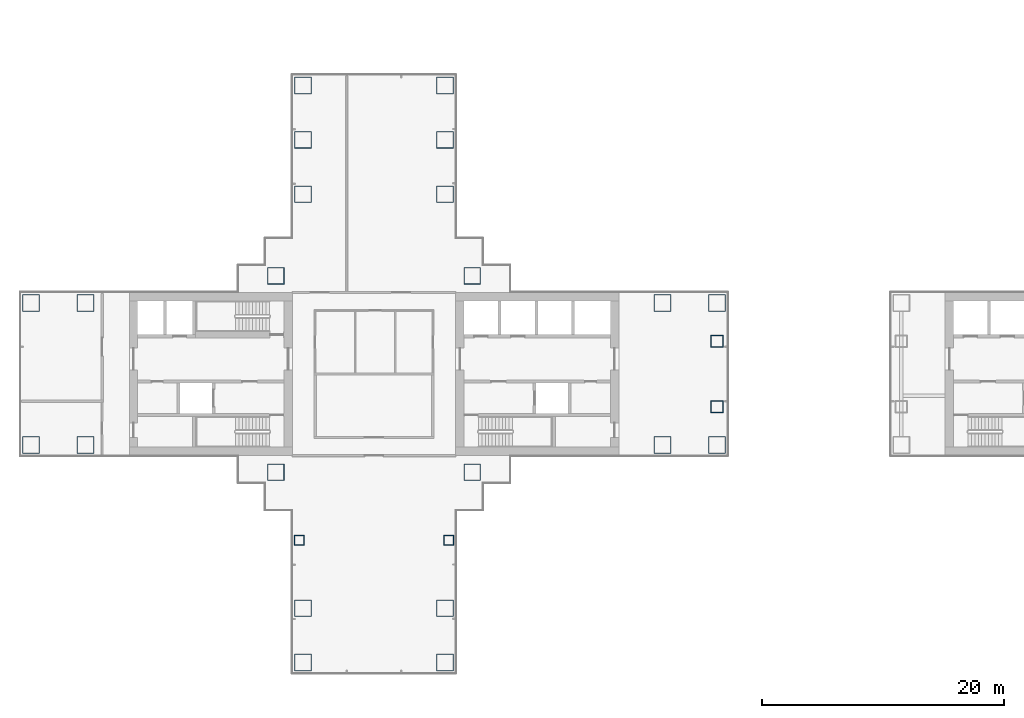
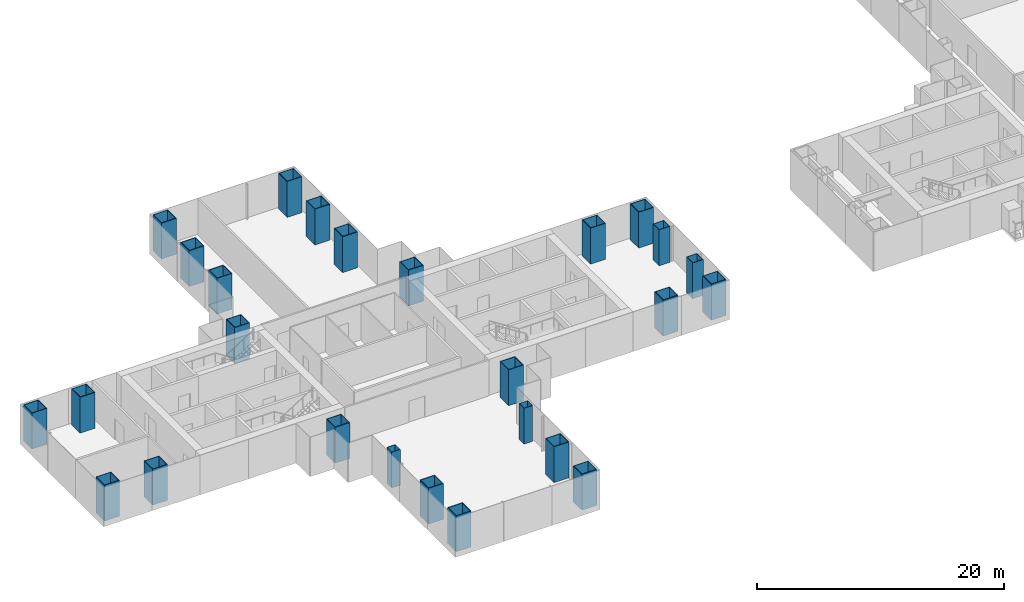
# One storey, part 1 of 22: 26 columns.
"""IFC4 building model written with IfcOpenShell, lengths in metres."""

from ifc_helpers import new_model, si_unit, direction, frame, origin, origin_2d, place, context, subcontext, project, spatial, hollow_rectangle, extrude, material, material_profile, profile_set, type_object, element, save


model = new_model("IFC4")

# Units and contexts
model_context = context("Model", 3, precision=1e-05, world=origin(), true_north=direction((0.0, 1.0)))
body_context = subcontext(model_context, "Body", "Model", "MODEL_VIEW")
ifc_project = project(units=[si_unit("LENGTHUNIT", "METRE"), si_unit("AREAUNIT", "SQUARE_METRE"), si_unit("VOLUMEUNIT", "CUBIC_METRE"), si_unit("PLANEANGLEUNIT", "RADIAN"), si_unit("MASSUNIT", "GRAM", prefix="KILO")], contexts=[model_context])

# Site, building, storey
site_placement = place(None, origin())
site = spatial("IfcSite", under=ifc_project, at=site_placement, CompositionType="ELEMENT")
building_placement = place(site_placement, origin())
building = spatial("IfcBuilding", under=site, at=building_placement, Name="Shamsa Quay Exchange Towers", CompositionType="ELEMENT")
storey_placement = place(building_placement, frame((0.0, 0.0, 69.300048828125)))
storey = spatial("IfcBuildingStorey", under=building, at=storey_placement, Name="L15", CompositionType="ELEMENT", Elevation=69.300048828125)

# Columns
ifc_material_1 = material(Name="Concrete-filled steel tube S355 / C80/95", Category="concrete")
ifc_material_profile_1 = material_profile(ifc_material_1, hollow_rectangle(XDim=1.39990234375, YDim=1.39990234375, WallThickness=0.050048828125, at=origin_2d()), Name="CFT 1400x1400x50")
ifc_profile_set_1 = profile_set([ifc_material_profile_1], Name="Concrete-filled steel tube S355 / C80/95")
column_type_1 = type_object("IfcColumnType", Name="Column CFT 1400x1400x50", PredefinedType="COLUMN", material=ifc_profile_set_1)
for number, where, name in (
    (1, (-25.625, 8.125, 0.0), "Mega column T1-CM01"),
    (2, (-25.625, -8.125, 0.0), "Mega column T1-CM02"),
    (3, (-41.875, 8.125, 0.0), "Mega column T1-CM03"),
    (4, (-41.875, -8.125, 0.0), "Mega column T1-CM04"),
    (5, (-9.875, -5.875, 0.0), "Mega column T1-CM05"),
    (6, (-5.375, -5.875, 0.0), "Mega column T1-CM06"),
    (7, (-9.875, 5.875, 0.0), "Mega column T1-CM07"),
    (8, (-5.375, 5.875, 0.0), "Mega column T1-CM08"),
    (9, (-57.625, -5.875, 0.0), "Mega column T1-CM09"),
    (10, (-62.125, -5.875, 0.0), "Mega column T1-CM10"),
    (11, (-57.625, 5.875, 0.0), "Mega column T1-CM11"),
    (12, (-62.125, 5.875, 0.0), "Mega column T1-CM12"),
    (13, (-39.625, 14.875, 0.0), "Mega column T1-CM13"),
    (14, (-39.625, 19.375, 0.0), "Mega column T1-CM14"),
    (15, (-39.625, 23.875, 0.0), "Mega column T1-CM15"),
    (16, (-27.875, 14.875, 0.0), "Mega column T1-CM16"),
    (17, (-27.875, 19.375, 0.0), "Mega column T1-CM17"),
    (18, (-27.875, 23.875, 0.0), "Mega column T1-CM18"),
    (19, (-39.625, -19.375, 0.0), "Mega column T1-CM20"),
    (20, (-39.625, -23.875, 0.0), "Mega column T1-CM21"),
    (21, (-27.875, -19.375, 0.0), "Mega column T1-CM23"),
    (22, (-27.875, -23.875, 0.0), "Mega column T1-CM24"),
):
    element("IfcColumn", number, at=place(storey_placement, frame(where)), inside=storey, type_object=column_type_1, Name=name, PredefinedType="COLUMN", context=body_context, shape_type="SweptSolid", body=[
        extrude(hollow_rectangle(XDim=1.39990234375, YDim=1.39990234375, WallThickness=0.050048828125, at=origin_2d()), origin(), (0.0, 0.0, 1.0), 3.550048828125),
    ])
ifc_material_2 = material(Name="Concrete-filled steel tube S355 / C60/75", Category="concrete")
ifc_material_profile_2 = material_profile(ifc_material_2, hollow_rectangle(XDim=0.800048828125, YDim=0.800048828125, WallThickness=0.02490234375, at=origin_2d()), Name="CFT 800x800x25")
ifc_profile_set_2 = profile_set([ifc_material_profile_2], Name="Concrete-filled steel tube S355 / C60/75")
column_type_2 = type_object("IfcColumnType", Name="Column CFT 800x800x25", PredefinedType="COLUMN", material=ifc_profile_set_2)
for number, where, name in (
    (23, (-39.9375, -13.75, 0.0), "Perimeter column T1-CP19"),
    (24, (-27.5625, -13.75, 0.0), "Perimeter column T1-CP22"),
):
    element("IfcColumn", number, at=place(storey_placement, frame(where)), inside=storey, type_object=column_type_2, Name=name, PredefinedType="COLUMN", context=body_context, shape_type="SweptSolid", body=[
        extrude(hollow_rectangle(XDim=0.800048828125, YDim=0.800048828125, WallThickness=0.02490234375, at=origin_2d()), origin(), (0.0, 0.0, 1.0), 3.550048828125),
    ])
ifc_material_3 = material(Name="Concrete-filled steel tube S355 / C70/85", Category="concrete")
ifc_material_profile_3 = material_profile(ifc_material_3, hollow_rectangle(XDim=1.0, YDim=1.0, WallThickness=0.0400390625, at=origin_2d()), Name="CFT 1000x1000x40")
ifc_profile_set_3 = profile_set([ifc_material_profile_3], Name="Concrete-filled steel tube S355 / C70/85")
column_type_3 = type_object("IfcColumnType", Name="Landing column CFT 1000x1000x40", PredefinedType="COLUMN", material=ifc_profile_set_3)
for number, where, name in (
    (25, (-5.375, -2.699951171875, 0.0), "Landing column T1 S"),
    (26, (-5.375, 2.699951171875, 0.0), "Landing column T1 N"),
):
    element("IfcColumn", number, at=place(storey_placement, frame(where)), inside=storey, type_object=column_type_3, Name=name, PredefinedType="COLUMN", context=body_context, shape_type="SweptSolid", body=[
        extrude(hollow_rectangle(XDim=1.0, YDim=1.0, WallThickness=0.0400390625, at=origin_2d()), origin(), (0.0, 0.0, 1.0), 3.550048828125),
    ])

save(model, "model.ifc")
